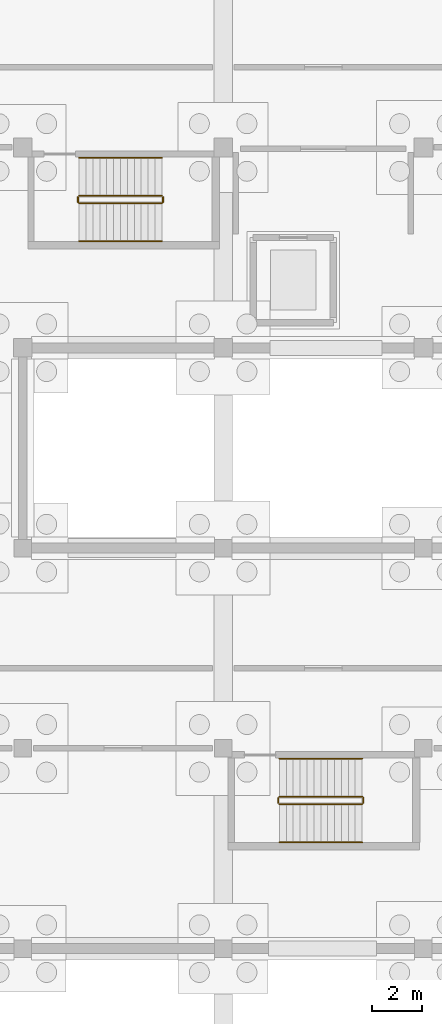
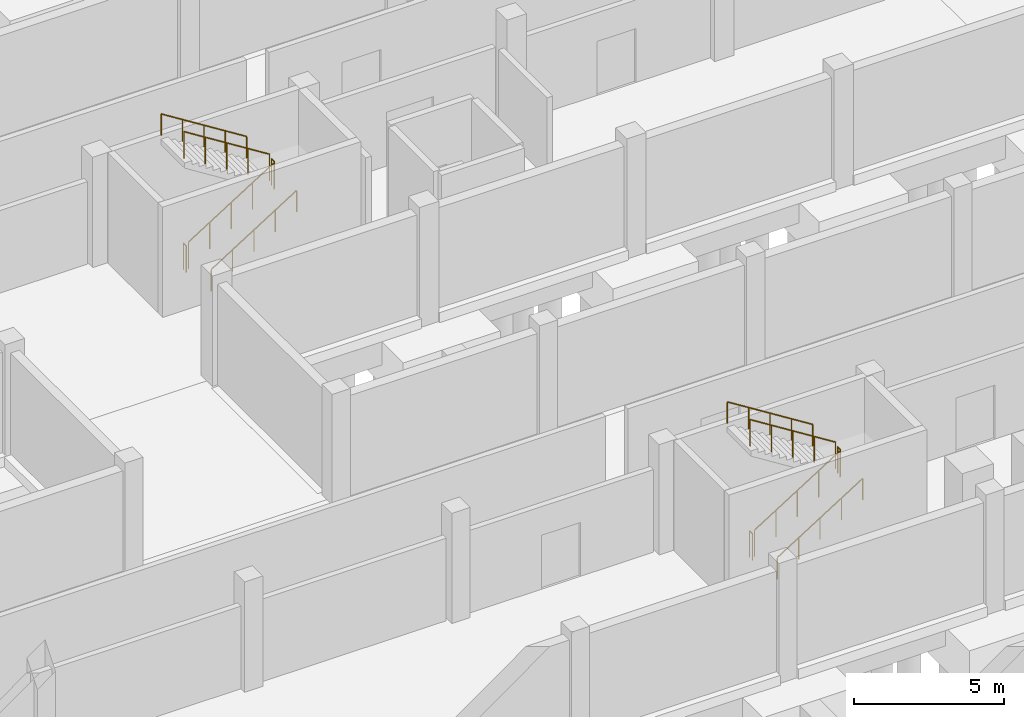
# One storey, part 47 of 51: 12 railings.
"""IFC4 building model written with IfcOpenShell, lengths in metres."""

from ifc_helpers import new_model, si_unit, direction, frame, origin, origin_2d, place, context, subcontext, project, spatial, circle, extrude, material, type_object, element, save


model = new_model("IFC4")

# Units and contexts
model_context = context("Model", 3, precision=1e-05, world=origin(), true_north=direction((0.0, 1.0)))
body_context = subcontext(model_context, "Body", "Model", "MODEL_VIEW")
ifc_project = project(units=[si_unit("LENGTHUNIT", "METRE"), si_unit("AREAUNIT", "SQUARE_METRE"), si_unit("VOLUMEUNIT", "CUBIC_METRE"), si_unit("PLANEANGLEUNIT", "RADIAN"), si_unit("MASSUNIT", "GRAM", prefix="KILO")], contexts=[model_context])

# Site, building, storey
site_placement = place(None, origin())
site = spatial("IfcSite", under=ifc_project, at=site_placement, CompositionType="ELEMENT")
building_placement = place(site_placement, origin())
building = spatial("IfcBuilding", under=site, at=building_placement, Name="Jelvoka-Kovrelna Polytechnic", CompositionType="ELEMENT")
storey_placement = place(building_placement, frame((0.0, 0.0, -4.5)))
storey = spatial("IfcBuildingStorey", under=building, at=storey_placement, Name="B01", CompositionType="ELEMENT", Elevation=-4.5)

# Railings
ifc_material_1 = material(Name="Powder-coated steel stair guard", Category="steel")
railing_type_1 = type_object("IfcRailingType", Name="Railing_Stair_Guard_1100", PredefinedType="GUARDRAIL", material=ifc_material_1)
railing_1_placement = place(storey_placement, frame((90.25, 13.77001953125, 0.173095703125)))
element("IfcRailing", 1, at=railing_1_placement, inside=storey, type_object=railing_type_1, Name="B01 ST06 stair guard 1", PredefinedType="GUARDRAIL", context=body_context, shape_type="SweptSolid", body=[
    extrude(circle(Radius=0.02392578125, at=origin_2d()), frame((0.0, 0.0, 1.076171875), z_axis=(0.846337383501, 0.0, 0.532647194011), x_axis=(0.0, 1.0, 0.0)), (0.0, 0.0, 1.0), 3.899169921875),
    extrude(circle(Radius=0.02099609375, at=origin_2d()), origin(), (0.0, 0.0, 1.0), 1.052001953125),
    extrude(circle(Radius=0.02099609375, at=origin_2d()), frame((0.824951171875, 0.0, 0.519287109375)), (0.0, 0.0, 1.0), 1.052001953125),
    extrude(circle(Radius=0.02099609375, at=origin_2d()), frame((1.64990234375, 0.0, 1.03857421875)), (0.0, 0.0, 1.0), 1.052001953125),
    extrude(circle(Radius=0.02099609375, at=origin_2d()), frame((2.47509765625, 0.0, 1.5576171875)), (0.0, 0.0, 1.0), 1.052001953125),
    extrude(circle(Radius=0.02099609375, at=origin_2d()), frame((3.300048828125, 0.0, 2.076904296875)), (0.0, 0.0, 1.0), 1.052001953125),
])
railing_2_placement = place(storey_placement, frame((93.60009765625, 13.820068359375, 2.25)))
element("IfcRailing", 2, at=railing_2_placement, inside=storey, type_object=railing_type_1, Name="B01 ST06 stair guard 2", PredefinedType="GUARDRAIL", context=body_context, shape_type="SweptSolid", body=[
    extrude(circle(Radius=0.02392578125, at=origin_2d()), frame((0.0, 0.0, 1.076171875), z_axis=(0.0, 1.0, 0.0), x_axis=(-1.0, 0.0, 0.0)), (0.0, 0.0, 1.0), 0.199951171875),
    extrude(circle(Radius=0.02099609375, at=origin_2d()), origin(), (0.0, 0.0, 1.0), 1.052001953125),
    extrude(circle(Radius=0.02099609375, at=origin_2d()), frame((0.0, 0.199951171875, 0.0)), (0.0, 0.0, 1.0), 1.052001953125),
])
railing_3_placement = place(storey_placement, frame((93.550048828125, 14.070068359375, 2.423095703125)))
element("IfcRailing", 3, at=railing_3_placement, inside=storey, type_object=railing_type_1, Name="B01 ST06 stair guard 3", PredefinedType="GUARDRAIL", context=body_context, shape_type="SweptSolid", body=[
    extrude(circle(Radius=0.02392578125, at=origin_2d()), frame((0.0, 0.0, 1.076171875), z_axis=(-0.846337383501, 0.0, 0.532647194011), x_axis=(0.0, -1.0, 0.0)), (0.0, 0.0, 1.0), 3.899169921875),
    extrude(circle(Radius=0.02099609375, at=origin_2d()), origin(), (0.0, 0.0, 1.0), 1.052001953125),
    extrude(circle(Radius=0.02099609375, at=origin_2d()), frame((-0.824951171875, 0.0, 0.519287109375)), (0.0, 0.0, 1.0), 1.052001953125),
    extrude(circle(Radius=0.02099609375, at=origin_2d()), frame((-1.64990234375, 0.0, 1.03857421875)), (0.0, 0.0, 1.0), 1.052001953125),
    extrude(circle(Radius=0.02099609375, at=origin_2d()), frame((-2.47509765625, 0.0, 1.5576171875)), (0.0, 0.0, 1.0), 1.052001953125),
    extrude(circle(Radius=0.02099609375, at=origin_2d()), frame((-3.300048828125, 0.0, 2.076904296875)), (0.0, 0.0, 1.0), 1.052001953125),
])
railing_4_placement = place(storey_placement, frame((90.199951171875, 13.820068359375, 0.0)))
element("IfcRailing", 4, at=railing_4_placement, inside=storey, type_object=railing_type_1, Name="B01 ST06 stair guard 4", PredefinedType="GUARDRAIL", context=body_context, shape_type="SweptSolid", body=[
    extrude(circle(Radius=0.02392578125, at=origin_2d()), frame((0.0, 0.0, 1.076171875), z_axis=(0.0, 1.0, 0.0), x_axis=(-1.0, 0.0, 0.0)), (0.0, 0.0, 1.0), 0.199951171875),
    extrude(circle(Radius=0.02099609375, at=origin_2d()), origin(), (0.0, 0.0, 1.0), 1.052001953125),
    extrude(circle(Radius=0.02099609375, at=origin_2d()), frame((0.0, 0.199951171875, 0.0)), (0.0, 0.0, 1.0), 1.052001953125),
])
railing_5_placement = place(storey_placement, frame((82.25, 37.77001953125, 0.173095703125)))
element("IfcRailing", 5, at=railing_5_placement, inside=storey, type_object=railing_type_1, Name="B01 ST07 stair guard 1", PredefinedType="GUARDRAIL", context=body_context, shape_type="SweptSolid", body=[
    extrude(circle(Radius=0.02392578125, at=origin_2d()), frame((0.0, 0.0, 1.076171875), z_axis=(0.846337383501, 0.0, 0.532647194011), x_axis=(0.0, 1.0, 0.0)), (0.0, 0.0, 1.0), 3.899169921875),
    extrude(circle(Radius=0.02099609375, at=origin_2d()), origin(), (0.0, 0.0, 1.0), 1.052001953125),
    extrude(circle(Radius=0.02099609375, at=origin_2d()), frame((0.824951171875, 0.0, 0.519287109375)), (0.0, 0.0, 1.0), 1.052001953125),
    extrude(circle(Radius=0.02099609375, at=origin_2d()), frame((1.64990234375, 0.0, 1.03857421875)), (0.0, 0.0, 1.0), 1.052001953125),
    extrude(circle(Radius=0.02099609375, at=origin_2d()), frame((2.47509765625, 0.0, 1.5576171875)), (0.0, 0.0, 1.0), 1.052001953125),
    extrude(circle(Radius=0.02099609375, at=origin_2d()), frame((3.300048828125, 0.0, 2.076904296875)), (0.0, 0.0, 1.0), 1.052001953125),
])
railing_6_placement = place(storey_placement, frame((85.60009765625, 37.820068359375, 2.25)))
element("IfcRailing", 6, at=railing_6_placement, inside=storey, type_object=railing_type_1, Name="B01 ST07 stair guard 2", PredefinedType="GUARDRAIL", context=body_context, shape_type="SweptSolid", body=[
    extrude(circle(Radius=0.02392578125, at=origin_2d()), frame((0.0, 0.0, 1.076171875), z_axis=(0.0, 1.0, 0.0), x_axis=(-1.0, 0.0, 0.0)), (0.0, 0.0, 1.0), 0.199951171875),
    extrude(circle(Radius=0.02099609375, at=origin_2d()), origin(), (0.0, 0.0, 1.0), 1.052001953125),
    extrude(circle(Radius=0.02099609375, at=origin_2d()), frame((0.0, 0.199951171875, 0.0)), (0.0, 0.0, 1.0), 1.052001953125),
])
railing_7_placement = place(storey_placement, frame((85.550048828125, 38.070068359375, 2.423095703125)))
element("IfcRailing", 7, at=railing_7_placement, inside=storey, type_object=railing_type_1, Name="B01 ST07 stair guard 3", PredefinedType="GUARDRAIL", context=body_context, shape_type="SweptSolid", body=[
    extrude(circle(Radius=0.02392578125, at=origin_2d()), frame((0.0, 0.0, 1.076171875), z_axis=(-0.846337383501, 0.0, 0.532647194011), x_axis=(0.0, -1.0, 0.0)), (0.0, 0.0, 1.0), 3.899169921875),
    extrude(circle(Radius=0.02099609375, at=origin_2d()), origin(), (0.0, 0.0, 1.0), 1.052001953125),
    extrude(circle(Radius=0.02099609375, at=origin_2d()), frame((-0.824951171875, 0.0, 0.519287109375)), (0.0, 0.0, 1.0), 1.052001953125),
    extrude(circle(Radius=0.02099609375, at=origin_2d()), frame((-1.64990234375, 0.0, 1.03857421875)), (0.0, 0.0, 1.0), 1.052001953125),
    extrude(circle(Radius=0.02099609375, at=origin_2d()), frame((-2.47509765625, 0.0, 1.5576171875)), (0.0, 0.0, 1.0), 1.052001953125),
    extrude(circle(Radius=0.02099609375, at=origin_2d()), frame((-3.300048828125, 0.0, 2.076904296875)), (0.0, 0.0, 1.0), 1.052001953125),
])
railing_8_placement = place(storey_placement, frame((82.199951171875, 37.820068359375, 0.0)))
element("IfcRailing", 8, at=railing_8_placement, inside=storey, type_object=railing_type_1, Name="B01 ST07 stair guard 4", PredefinedType="GUARDRAIL", context=body_context, shape_type="SweptSolid", body=[
    extrude(circle(Radius=0.02392578125, at=origin_2d()), frame((0.0, 0.0, 1.076171875), z_axis=(0.0, 1.0, 0.0), x_axis=(-1.0, 0.0, 0.0)), (0.0, 0.0, 1.0), 0.199951171875),
    extrude(circle(Radius=0.02099609375, at=origin_2d()), origin(), (0.0, 0.0, 1.0), 1.052001953125),
    extrude(circle(Radius=0.02099609375, at=origin_2d()), frame((0.0, 0.199951171875, 0.0)), (0.0, 0.0, 1.0), 1.052001953125),
])
ifc_material_2 = material(Name="Brushed stainless steel handrail", Category="steel")
railing_type_2 = type_object("IfcRailingType", Name="Railing_Stair_Handrail_900", PredefinedType="HANDRAIL", material=ifc_material_2)
railing_9_placement = place(storey_placement, frame((90.25, 12.25, 0.173095703125)))
element("IfcRailing", 9, at=railing_9_placement, inside=storey, type_object=railing_type_2, Name="B01 ST06 stair handrail 1", PredefinedType="HANDRAIL", context=body_context, shape_type="SweptSolid", body=[
    extrude(circle(Radius=0.02392578125, at=origin_2d()), frame((0.0, 0.0, 0.8759765625), z_axis=(0.846337383501, 0.0, 0.532647194011), x_axis=(0.0, 1.0, 0.0)), (0.0, 0.0, 1.0), 3.899169921875),
    extrude(circle(Radius=0.02099609375, at=origin_2d()), origin(), (0.0, 0.0, 1.0), 0.851806640625),
    extrude(circle(Radius=0.02099609375, at=origin_2d()), frame((0.824951171875, 0.0, 0.519287109375)), (0.0, 0.0, 1.0), 0.851806640625),
    extrude(circle(Radius=0.02099609375, at=origin_2d()), frame((1.64990234375, 0.0, 1.03857421875)), (0.0, 0.0, 1.0), 0.851806640625),
    extrude(circle(Radius=0.02099609375, at=origin_2d()), frame((2.47509765625, 0.0, 1.5576171875)), (0.0, 0.0, 1.0), 0.851806640625),
    extrude(circle(Radius=0.02099609375, at=origin_2d()), frame((3.300048828125, 0.0, 2.076904296875)), (0.0, 0.0, 1.0), 0.851806640625),
])
railing_10_placement = place(storey_placement, frame((93.550048828125, 15.590087890625, 2.423095703125)))
element("IfcRailing", 10, at=railing_10_placement, inside=storey, type_object=railing_type_2, Name="B01 ST06 stair handrail 2", PredefinedType="HANDRAIL", context=body_context, shape_type="SweptSolid", body=[
    extrude(circle(Radius=0.02392578125, at=origin_2d()), frame((0.0, 0.0, 0.8759765625), z_axis=(-0.846337383501, 0.0, 0.532647194011), x_axis=(0.0, -1.0, 0.0)), (0.0, 0.0, 1.0), 3.899169921875),
    extrude(circle(Radius=0.02099609375, at=origin_2d()), origin(), (0.0, 0.0, 1.0), 0.851806640625),
    extrude(circle(Radius=0.02099609375, at=origin_2d()), frame((-0.824951171875, 0.0, 0.519287109375)), (0.0, 0.0, 1.0), 0.851806640625),
    extrude(circle(Radius=0.02099609375, at=origin_2d()), frame((-1.64990234375, 0.0, 1.03857421875)), (0.0, 0.0, 1.0), 0.851806640625),
    extrude(circle(Radius=0.02099609375, at=origin_2d()), frame((-2.47509765625, 0.0, 1.5576171875)), (0.0, 0.0, 1.0), 0.851806640625),
    extrude(circle(Radius=0.02099609375, at=origin_2d()), frame((-3.300048828125, 0.0, 2.076904296875)), (0.0, 0.0, 1.0), 0.851806640625),
])
railing_11_placement = place(storey_placement, frame((82.25, 36.25, 0.173095703125)))
element("IfcRailing", 11, at=railing_11_placement, inside=storey, type_object=railing_type_2, Name="B01 ST07 stair handrail 1", PredefinedType="HANDRAIL", context=body_context, shape_type="SweptSolid", body=[
    extrude(circle(Radius=0.02392578125, at=origin_2d()), frame((0.0, 0.0, 0.8759765625), z_axis=(0.846337383501, 0.0, 0.532647194011), x_axis=(0.0, 1.0, 0.0)), (0.0, 0.0, 1.0), 3.899169921875),
    extrude(circle(Radius=0.02099609375, at=origin_2d()), origin(), (0.0, 0.0, 1.0), 0.851806640625),
    extrude(circle(Radius=0.02099609375, at=origin_2d()), frame((0.824951171875, 0.0, 0.519287109375)), (0.0, 0.0, 1.0), 0.851806640625),
    extrude(circle(Radius=0.02099609375, at=origin_2d()), frame((1.64990234375, 0.0, 1.03857421875)), (0.0, 0.0, 1.0), 0.851806640625),
    extrude(circle(Radius=0.02099609375, at=origin_2d()), frame((2.47509765625, 0.0, 1.5576171875)), (0.0, 0.0, 1.0), 0.851806640625),
    extrude(circle(Radius=0.02099609375, at=origin_2d()), frame((3.300048828125, 0.0, 2.076904296875)), (0.0, 0.0, 1.0), 0.851806640625),
])
railing_12_placement = place(storey_placement, frame((85.550048828125, 39.590087890625, 2.423095703125)))
element("IfcRailing", 12, at=railing_12_placement, inside=storey, type_object=railing_type_2, Name="B01 ST07 stair handrail 2", PredefinedType="HANDRAIL", context=body_context, shape_type="SweptSolid", body=[
    extrude(circle(Radius=0.02392578125, at=origin_2d()), frame((0.0, 0.0, 0.8759765625), z_axis=(-0.846337383501, 0.0, 0.532647194011), x_axis=(0.0, -1.0, 0.0)), (0.0, 0.0, 1.0), 3.899169921875),
    extrude(circle(Radius=0.02099609375, at=origin_2d()), origin(), (0.0, 0.0, 1.0), 0.851806640625),
    extrude(circle(Radius=0.02099609375, at=origin_2d()), frame((-0.824951171875, 0.0, 0.519287109375)), (0.0, 0.0, 1.0), 0.851806640625),
    extrude(circle(Radius=0.02099609375, at=origin_2d()), frame((-1.64990234375, 0.0, 1.03857421875)), (0.0, 0.0, 1.0), 0.851806640625),
    extrude(circle(Radius=0.02099609375, at=origin_2d()), frame((-2.47509765625, 0.0, 1.5576171875)), (0.0, 0.0, 1.0), 0.851806640625),
    extrude(circle(Radius=0.02099609375, at=origin_2d()), frame((-3.300048828125, 0.0, 2.076904296875)), (0.0, 0.0, 1.0), 0.851806640625),
])

save(model, "model.ifc")
